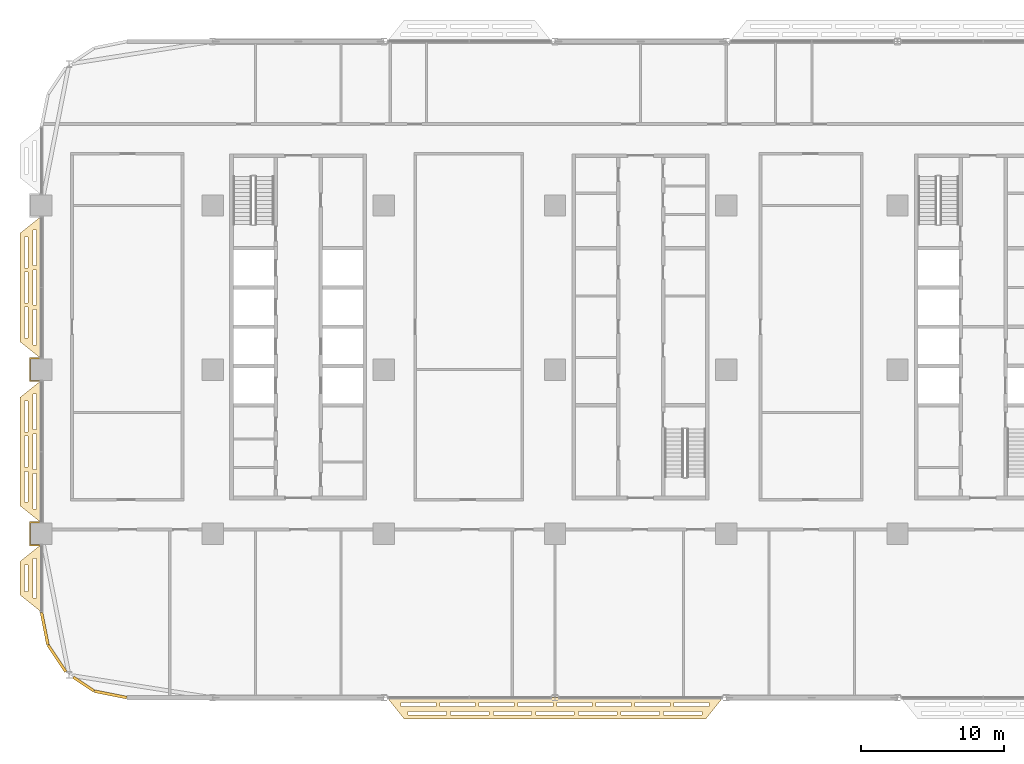
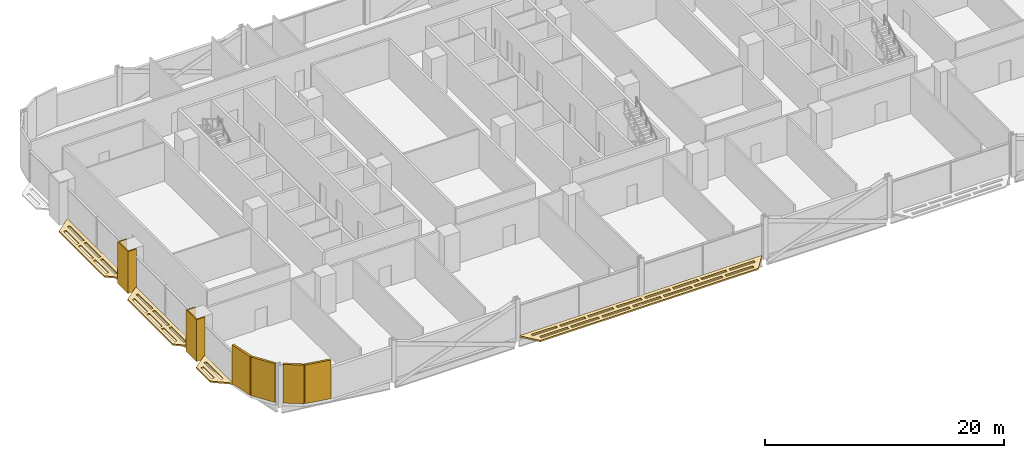
# One storey, part 24 of 29: 10 coverings.
"""IFC4 building model written with IfcOpenShell, lengths in metres."""

from ifc_helpers import new_model, si_unit, direction, frame, origin, origin_2d, place, context, subcontext, project, spatial, polyline, rectangle, outline, extrude, material, layer, layer_set, type_object, element, save


model = new_model("IFC4")

# Units and contexts
model_context = context("Model", 3, precision=1e-05, world=origin(), true_north=direction((0.0, 1.0)))
body_context = subcontext(model_context, "Body", "Model", "MODEL_VIEW")
ifc_project = project(units=[si_unit("LENGTHUNIT", "METRE"), si_unit("AREAUNIT", "SQUARE_METRE"), si_unit("VOLUMEUNIT", "CUBIC_METRE"), si_unit("PLANEANGLEUNIT", "RADIAN"), si_unit("MASSUNIT", "GRAM", prefix="KILO")], contexts=[model_context])

# Site, building, storey
site_placement = place(None, origin())
site = spatial("IfcSite", under=ifc_project, at=site_placement, CompositionType="ELEMENT")
building_placement = place(site_placement, origin())
building = spatial("IfcBuilding", under=site, at=building_placement, Name="Mahtab Terrace Research Tower", CompositionType="ELEMENT")
storey_placement = place(building_placement, frame((0.0, 0.0, 71.800048828125)))
storey = spatial("IfcBuildingStorey", under=building, at=storey_placement, Name="L16", CompositionType="ELEMENT", Elevation=71.800048828125)

# Coverings
ifc_material_1 = material(Name="Black aluminium cladding panel", Category="aluminium")
ifc_layer_1 = layer(ifc_material_1, 0.199951171875)
ifc_layer_set_1 = layer_set([ifc_layer_1], Name="Black metal corner cladding 200")
covering_type_1 = type_object("IfcCoveringType", Name="Black metal corner cladding 200", PredefinedType="CLADDING", material=ifc_layer_set_1)
covering_1_placement = place(storey_placement, frame((-41.771484375, -18.14794921875, 0.0), z_axis=(0.0, 0.0, 1.0), x_axis=(0.195212442692, -0.980760981187, 0.0)))
element("IfcCovering", 1, at=covering_1_placement, inside=storey, type_object=covering_type_1, Name="Corner cladding L16 19", PredefinedType="CLADDING", context=body_context, shape_type="SweptSolid", body=[
    extrude(rectangle(XDim=2.30126953125, YDim=0.199951171875, at=origin_2d()), origin(), (0.0, 0.0, 1.0), 3.9599609375),
])
covering_2_placement = place(storey_placement, frame((-40.911376953125, -20.2421875, 0.0), z_axis=(0.0, 0.0, 1.0), x_axis=(0.555291490808, -0.831655794326, 0.0)))
element("IfcCovering", 2, at=covering_2_placement, inside=storey, type_object=covering_type_1, Name="Corner cladding L16 20", PredefinedType="CLADDING", context=body_context, shape_type="SweptSolid", body=[
    extrude(rectangle(XDim=2.235595703125, YDim=0.199951171875, at=origin_2d()), origin(), (0.0, 0.0, 1.0), 3.9599609375),
])
covering_3_placement = place(storey_placement, frame((-39.0380859375, -22.047607421875, 0.0), z_axis=(0.0, 0.0, 1.0), x_axis=(0.831655794326, -0.555291490808, 0.0)))
element("IfcCovering", 3, at=covering_3_placement, inside=storey, type_object=covering_type_1, Name="Corner cladding L16 21", PredefinedType="CLADDING", context=body_context, shape_type="SweptSolid", body=[
    extrude(rectangle(XDim=1.74462890625, YDim=0.199951171875, at=origin_2d()), origin(), (0.0, 0.0, 1.0), 3.9599609375),
])
covering_4_placement = place(storey_placement, frame((-37.14794921875, -22.771484375, 0.0), z_axis=(0.0, 0.0, 1.0), x_axis=(0.980760981187, -0.195212442692, 0.0)))
element("IfcCovering", 4, at=covering_4_placement, inside=storey, type_object=covering_type_1, Name="Corner cladding L16 22", PredefinedType="CLADDING", context=body_context, shape_type="SweptSolid", body=[
    extrude(rectangle(XDim=2.30126953125, YDim=0.199951171875, at=origin_2d()), origin(), (0.0, 0.0, 1.0), 3.9599609375),
])
ifc_material_2 = material(Name="Dark anodised aluminium cladding", Category="aluminium")
ifc_layer_2 = layer(ifc_material_2, 0.10009765625)
ifc_layer_set_2 = layer_set([ifc_layer_2], Name="Column casing 100")
covering_type_2 = type_object("IfcCoveringType", Name="Column casing 100", PredefinedType="CLADDING", material=ifc_layer_set_2)
covering_5_placement = place(storey_placement, frame((0.0, 0.0, -0.340087890625)))
element("IfcCovering", 5, at=covering_5_placement, inside=storey, type_object=covering_type_2, Name="Column casing RC-1A L16", PredefinedType="CLADDING", context=body_context, shape_type="SweptSolid", body=[
    extrude(outline(polyline([(-42.85009765625, -10.64990234375), (-42.0, -10.64990234375), (-42.0, -10.75), (-42.75, -10.75), (-42.75, -12.25), (-42.0, -12.25), (-42.0, -12.35009765625), (-42.85009765625, -12.35009765625), (-42.85009765625, -10.64990234375)])), origin(), (0.0, 0.0, 1.0), 4.300048828125),
])
covering_6_placement = place(storey_placement, frame((0.0, 0.0, -0.340087890625)))
element("IfcCovering", 6, at=covering_6_placement, inside=storey, type_object=covering_type_2, Name="Column casing RC-1B L16", PredefinedType="CLADDING", context=body_context, shape_type="SweptSolid", body=[
    extrude(outline(polyline([(-42.85009765625, 0.85009765625), (-42.0, 0.85009765625), (-42.0, 0.75), (-42.75, 0.75), (-42.75, -0.75), (-42.0, -0.75), (-42.0, -0.85009765625), (-42.85009765625, -0.85009765625), (-42.85009765625, 0.85009765625)])), origin(), (0.0, 0.0, 1.0), 4.300048828125),
])
ifc_material_3 = material(Name="Black anodised aluminium", Category="aluminium")
ifc_layer_3 = layer(ifc_material_3, 0.14990234375)
ifc_layer_set_3 = layer_set([ifc_layer_3], Name="Horizontal sunshade band")
covering_type_3 = type_object("IfcCoveringType", Name="Horizontal sunshade band", PredefinedType="CLADDING", material=ifc_layer_set_3)
covering_7_placement = place(storey_placement, frame((0.0, 0.0, -0.150146484375)))
element("IfcCovering", 7, at=covering_7_placement, inside=storey, type_object=covering_type_3, Name="Sunshade band L16 16", PredefinedType="CLADDING", context=body_context, shape_type="SweptSolid", body=[
    extrude(outline(polyline([(-42.0, 10.75), (-42.0, 0.75), (-43.5, 1.949951171875), (-43.5, 9.550048828125), (-42.0, 10.75)]), holes=[polyline([(-42.35009765625, 9.77001953125), (-42.35009765625, 7.2900390625), (-42.60009765625, 7.2900390625), (-42.60009765625, 9.77001953125), (-42.35009765625, 9.77001953125)]), polyline([(-42.35009765625, 6.989990234375), (-42.35009765625, 4.510009765625), (-42.60009765625, 4.510009765625), (-42.60009765625, 6.989990234375), (-42.35009765625, 6.989990234375)]), polyline([(-42.35009765625, 4.2099609375), (-42.35009765625, 1.72998046875), (-42.60009765625, 1.72998046875), (-42.60009765625, 4.2099609375), (-42.35009765625, 4.2099609375)]), polyline([(-42.949951171875, 9.2900390625), (-42.949951171875, 7.1298828125), (-43.199951171875, 7.1298828125), (-43.199951171875, 9.2900390625), (-42.949951171875, 9.2900390625)]), polyline([(-42.949951171875, 6.830078125), (-42.949951171875, 4.669921875), (-43.199951171875, 4.669921875), (-43.199951171875, 6.830078125), (-42.949951171875, 6.830078125)]), polyline([(-42.949951171875, 4.3701171875), (-42.949951171875, 2.2099609375), (-43.199951171875, 2.2099609375), (-43.199951171875, 4.3701171875), (-42.949951171875, 4.3701171875)])]), origin(), (0.0, 0.0, 1.0), 0.150146484375),
])
covering_8_placement = place(storey_placement, frame((0.0, 0.0, -0.150146484375)))
element("IfcCovering", 8, at=covering_8_placement, inside=storey, type_object=covering_type_3, Name="Sunshade band L16 17", PredefinedType="CLADDING", context=body_context, shape_type="SweptSolid", body=[
    extrude(outline(polyline([(-42.0, -0.75), (-42.0, -10.75), (-43.5, -9.550048828125), (-43.5, -1.949951171875), (-42.0, -0.75)]), holes=[polyline([(-42.35009765625, -1.72998046875), (-42.35009765625, -4.2099609375), (-42.60009765625, -4.2099609375), (-42.60009765625, -1.72998046875), (-42.35009765625, -1.72998046875)]), polyline([(-42.35009765625, -4.510009765625), (-42.35009765625, -6.989990234375), (-42.60009765625, -6.989990234375), (-42.60009765625, -4.510009765625), (-42.35009765625, -4.510009765625)]), polyline([(-42.35009765625, -7.2900390625), (-42.35009765625, -9.77001953125), (-42.60009765625, -9.77001953125), (-42.60009765625, -7.2900390625), (-42.35009765625, -7.2900390625)]), polyline([(-42.949951171875, -2.2099609375), (-42.949951171875, -4.3701171875), (-43.199951171875, -4.3701171875), (-43.199951171875, -2.2099609375), (-42.949951171875, -2.2099609375)]), polyline([(-42.949951171875, -4.669921875), (-42.949951171875, -6.830078125), (-43.199951171875, -6.830078125), (-43.199951171875, -4.669921875), (-42.949951171875, -4.669921875)]), polyline([(-42.949951171875, -7.1298828125), (-42.949951171875, -9.2900390625), (-43.199951171875, -9.2900390625), (-43.199951171875, -7.1298828125), (-42.949951171875, -7.1298828125)])]), origin(), (0.0, 0.0, 1.0), 0.150146484375),
])
covering_9_placement = place(storey_placement, frame((0.0, 0.0, -0.150146484375)))
element("IfcCovering", 9, at=covering_9_placement, inside=storey, type_object=covering_type_3, Name="Sunshade band L16 18", PredefinedType="CLADDING", context=body_context, shape_type="SweptSolid", body=[
    extrude(outline(polyline([(-42.0, -12.25), (-42.0, -17.0), (-43.5, -15.800048828125), (-43.5, -13.449951171875), (-42.0, -12.25)]), holes=[polyline([(-42.35009765625, -13.22998046875), (-42.35009765625, -16.02001953125), (-42.60009765625, -16.02001953125), (-42.60009765625, -13.22998046875), (-42.35009765625, -13.22998046875)]), polyline([(-42.949951171875, -13.7099609375), (-42.949951171875, -15.5400390625), (-43.199951171875, -15.5400390625), (-43.199951171875, -13.7099609375), (-42.949951171875, -13.7099609375)])]), origin(), (0.0, 0.0, 1.0), 0.150146484375),
])
covering_10_placement = place(storey_placement, frame((0.0, 0.0, -0.150146484375)))
element("IfcCovering", 10, at=covering_10_placement, inside=storey, type_object=covering_type_3, Name="Sunshade band L16 25", PredefinedType="CLADDING", context=body_context, shape_type="SweptSolid", body=[
    extrude(outline(polyline([(-17.761962890625, -23.0), (5.761962890625, -23.0), (4.56201171875, -24.5), (-16.56201171875, -24.5), (-17.761962890625, -23.0)]), holes=[polyline([(-16.781982421875, -23.35009765625), (-14.34912109375, -23.35009765625), (-14.34912109375, -23.60009765625), (-16.781982421875, -23.60009765625), (-16.781982421875, -23.35009765625)]), polyline([(-14.049072265625, -23.35009765625), (-11.615966796875, -23.35009765625), (-11.615966796875, -23.60009765625), (-14.049072265625, -23.60009765625), (-14.049072265625, -23.35009765625)]), polyline([(-11.31591796875, -23.35009765625), (-8.883056640625, -23.35009765625), (-8.883056640625, -23.60009765625), (-11.31591796875, -23.60009765625), (-11.31591796875, -23.35009765625)]), polyline([(-8.5830078125, -23.35009765625), (-6.14990234375, -23.35009765625), (-6.14990234375, -23.60009765625), (-8.5830078125, -23.60009765625), (-8.5830078125, -23.35009765625)]), polyline([(-5.85009765625, -23.35009765625), (-3.4169921875, -23.35009765625), (-3.4169921875, -23.60009765625), (-5.85009765625, -23.60009765625), (-5.85009765625, -23.35009765625)]), polyline([(-3.116943359375, -23.35009765625), (-0.68408203125, -23.35009765625), (-0.68408203125, -23.60009765625), (-3.116943359375, -23.60009765625), (-3.116943359375, -23.35009765625)]), polyline([(-0.384033203125, -23.35009765625), (2.049072265625, -23.35009765625), (2.049072265625, -23.60009765625), (-0.384033203125, -23.60009765625), (-0.384033203125, -23.35009765625)]), polyline([(2.34912109375, -23.35009765625), (4.781982421875, -23.35009765625), (4.781982421875, -23.60009765625), (2.34912109375, -23.60009765625), (2.34912109375, -23.35009765625)]), polyline([(-16.302001953125, -23.949951171875), (-13.615966796875, -23.949951171875), (-13.615966796875, -24.199951171875), (-16.302001953125, -24.199951171875), (-16.302001953125, -23.949951171875)]), polyline([(-13.31591796875, -23.949951171875), (-10.62890625, -23.949951171875), (-10.62890625, -24.199951171875), (-13.31591796875, -24.199951171875), (-13.31591796875, -23.949951171875)]), polyline([(-10.3291015625, -23.949951171875), (-7.64306640625, -23.949951171875), (-7.64306640625, -24.199951171875), (-10.3291015625, -24.199951171875), (-10.3291015625, -23.949951171875)]), polyline([(-7.343017578125, -23.949951171875), (-4.656982421875, -23.949951171875), (-4.656982421875, -24.199951171875), (-7.343017578125, -24.199951171875), (-7.343017578125, -23.949951171875)]), polyline([(-4.35693359375, -23.949951171875), (-1.6708984375, -23.949951171875), (-1.6708984375, -24.199951171875), (-4.35693359375, -24.199951171875), (-4.35693359375, -23.949951171875)]), polyline([(-1.37109375, -23.949951171875), (1.31591796875, -23.949951171875), (1.31591796875, -24.199951171875), (-1.37109375, -24.199951171875), (-1.37109375, -23.949951171875)]), polyline([(1.615966796875, -23.949951171875), (4.302001953125, -23.949951171875), (4.302001953125, -24.199951171875), (1.615966796875, -24.199951171875), (1.615966796875, -23.949951171875)])]), origin(), (0.0, 0.0, 1.0), 0.150146484375),
])

save(model, "model.ifc")
